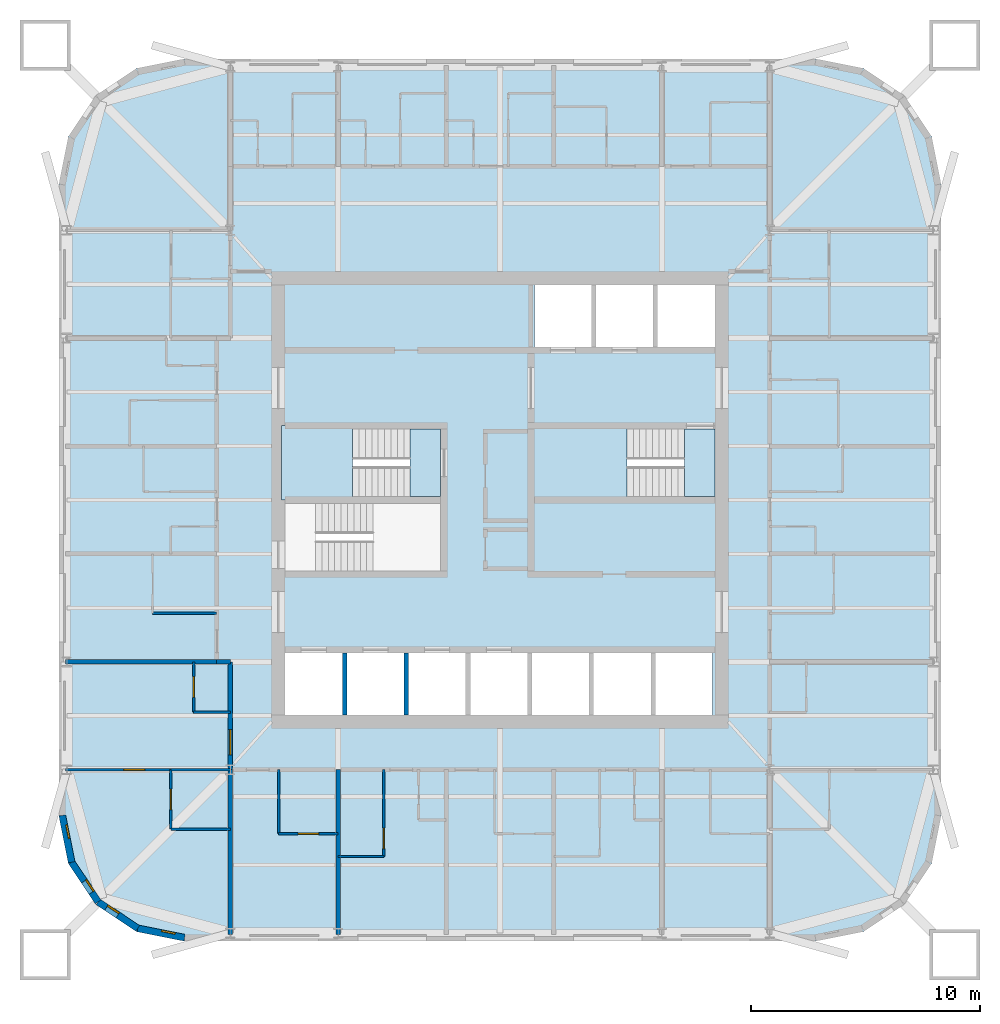
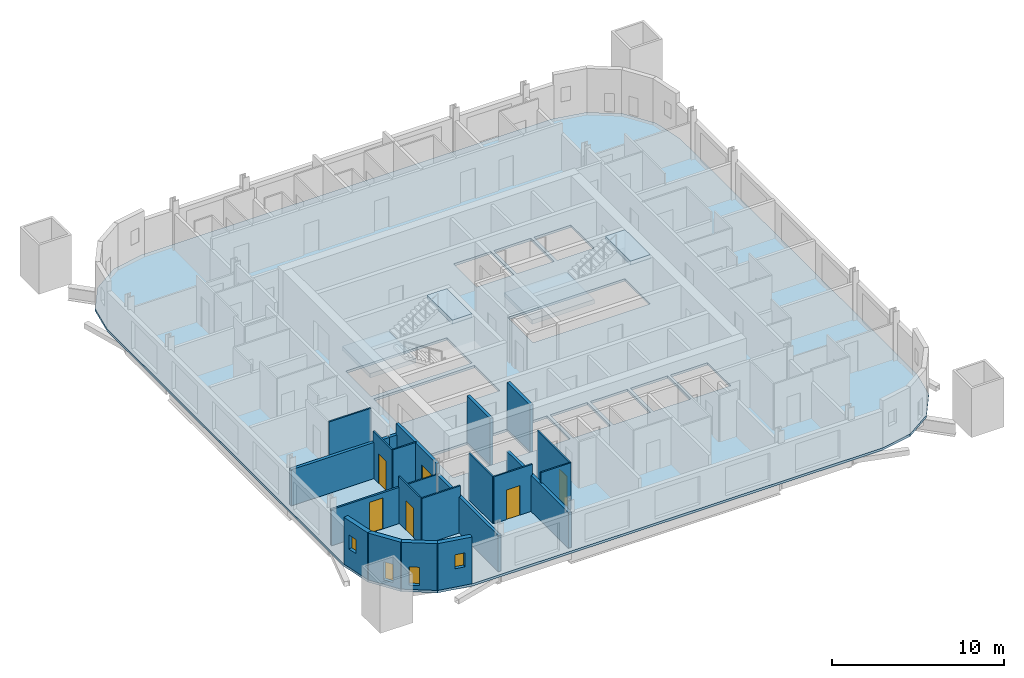
# One storey, part 2 of 9: 22 walls, 6 doors, 5 slabs, 4 windows, 10 openings, 2 elements without a shape of their own.
"""IFC4 building model written with IfcOpenShell, lengths in metres."""

import ifcopenshell
import ifcopenshell.guid

model = None  # the IFC model being written
_history = None  # IfcOwnerHistory: only IFC2X3 demands one
_inside = {}  # id of a spatial element -> (the spatial element, [elements in it])
_under = {}  # id of a project, library or spatial element -> (it, [spatial elements below it])
_declared = {}  # id of a project -> (the project, [libraries it declares])
_typed = {}  # id of a type object -> (the type object, [elements of that type])
_made_of = {}  # id of a material, layer set ... -> (it, [elements and type objects made of it])


def new_model(schema):
    """Start an empty IFC model of exactly this schema.

    Asked for "IFC4X3", IfcOpenShell would pick the latest addendum, in which some entities
    have other attributes; the version numbers below select the first issue.
    IFC2X3 requires an IfcOwnerHistory on every rooted entity: one is made here for all.
    """
    global model, _history
    if schema == "IFC4X3":
        model = ifcopenshell.file(schema_version=(4, 3, 0, 0))
    else:
        model = ifcopenshell.file(schema=schema)
    _inside.clear()
    _under.clear()
    _declared.clear()
    _typed.clear()
    _made_of.clear()
    _history = None
    if model.schema == "IFC2X3":
        org = make("IfcOrganization", Name="unknown")
        user = make(
            "IfcPersonAndOrganization",
            ThePerson=make("IfcPerson", FamilyName="unknown"),
            TheOrganization=org,
        )
        app = make(
            "IfcApplication",
            ApplicationDeveloper=org,
            Version="unknown",
            ApplicationFullName="unknown",
            ApplicationIdentifier="unknown",
        )
        _history = make(
            "IfcOwnerHistory",
            OwningUser=user,
            OwningApplication=app,
            ChangeAction="ADDED",
            CreationDate=0,
        )
    return model


def make(cls, **values):
    """One entity of the class cls with the attributes given. An attribute that is None is left unset."""
    return model.create_entity(
        cls, **{name: value for name, value in values.items() if value is not None}
    )


def rooted(cls, **values):
    """An entity with a GlobalId (a new one), such as an element, a storey or a relation."""
    return make(cls, GlobalId=ifcopenshell.guid.new(), OwnerHistory=_history, **values)


def si_unit(unit_type, name, prefix=None):
    """IfcSIUnit, for example si_unit("LENGTHUNIT", "METRE", prefix="MILLI")."""
    return make("IfcSIUnit", UnitType=unit_type, Prefix=prefix, Name=name)


def assignment(units):
    """IfcUnitAssignment: the units of a project."""
    return None if units is None else make("IfcUnitAssignment", Units=units)


def point(xyz):
    """IfcCartesianPoint."""
    return None if xyz is None else make("IfcCartesianPoint", Coordinates=xyz)


def direction(xyz):
    """IfcDirection."""
    return None if xyz is None else make("IfcDirection", DirectionRatios=xyz)


def frame(location, z_axis=None, x_axis=None):
    """IfcAxis2Placement3D, a coordinate frame: its origin and axes. An axis left out is left unset."""
    return make(
        "IfcAxis2Placement3D",
        Location=point(location),
        Axis=direction(z_axis),
        RefDirection=direction(x_axis),
    )


def frame_2d(location, x_axis=None):
    """IfcAxis2Placement2D, a coordinate frame in the plane: its origin and x axis."""
    return make(
        "IfcAxis2Placement2D", Location=point(location), RefDirection=direction(x_axis)
    )


def origin():
    """The frame at (0, 0, 0) with its axes left unset."""
    return frame((0.0, 0.0, 0.0))


def place(relative_to, where):
    """IfcLocalPlacement: puts the frame where relative to a parent placement (None: the world)."""
    return make(
        "IfcLocalPlacement", PlacementRelTo=relative_to, RelativePlacement=where
    )


def context(
    kind, dimensions, precision=None, world=None, true_north=None, identifier=None
):
    """IfcGeometricRepresentationContext, for example the 3D "Model" context."""
    return make(
        "IfcGeometricRepresentationContext",
        ContextIdentifier=identifier,
        ContextType=kind,
        CoordinateSpaceDimension=dimensions,
        Precision=precision,
        WorldCoordinateSystem=world,
        TrueNorth=true_north,
    )


def subcontext(parent, identifier, kind, view, scale=None):
    """IfcGeometricRepresentationSubContext, for example "Body" below "Model"."""
    return make(
        "IfcGeometricRepresentationSubContext",
        ContextIdentifier=identifier,
        ContextType=kind,
        ParentContext=parent,
        TargetScale=scale,
        TargetView=view,
    )


def project(units=None, contexts=None):
    """IfcProject with its units and contexts."""
    return rooted(
        "IfcProject",
        Name="project",
        RepresentationContexts=contexts,
        UnitsInContext=assignment(units),
    )


def spatial(cls, under=None, at=None, **own):
    """A site, building, storey or space (cls), placed at a placement, below another one or the project."""
    s = rooted(cls, ObjectPlacement=at, **own)
    if under is not None:
        _under.setdefault(under.id(), (under, []))[1].append(s)
    return s


def polyline(points):
    """IfcPolyline through the points."""
    return make("IfcPolyline", Points=[point(p) for p in points])


def profile(cls, at=None, kind="AREA", **sizes):
    """A parametric profile (cls). Its sizes go by their IFC names, for example OverallWidth=200.0."""
    return make(cls, ProfileType=kind, Position=at, **sizes)


def rectangle(**sizes):
    """IfcRectangleProfileDef."""
    return profile("IfcRectangleProfileDef", **sizes)


def outline(outer, holes=None, kind="AREA"):
    """IfcArbitraryClosedProfileDef: a profile drawn as a closed curve; with holes, ...WithVoids."""
    if holes is None:
        return make("IfcArbitraryClosedProfileDef", ProfileType=kind, OuterCurve=outer)
    return make(
        "IfcArbitraryProfileDefWithVoids",
        ProfileType=kind,
        OuterCurve=outer,
        InnerCurves=holes,
    )


def extrude(swept, where, along, depth):
    """IfcExtrudedAreaSolid: the profile swept, set in the frame where, extruded along a direction by depth."""
    return make(
        "IfcExtrudedAreaSolid",
        SweptArea=swept,
        Position=where,
        ExtrudedDirection=direction(along),
        Depth=depth,
    )


def shape(context_of_items, identifier, shape_type, items):
    """IfcShapeRepresentation: the items that make up one representation, for example the "Body"."""
    return make(
        "IfcShapeRepresentation",
        ContextOfItems=context_of_items,
        RepresentationIdentifier=identifier,
        RepresentationType=shape_type,
        Items=items,
    )


def material(Name=None, Category=None):
    """IfcMaterial."""
    return make("IfcMaterial", Name=Name, Category=Category)


def layer(
    of_material, thickness, ventilated=None, Name=None, Category=None, Priority=None
):
    """IfcMaterialLayer: one layer of a wall or slab, of a material (None: an air gap)."""
    return make(
        "IfcMaterialLayer",
        Material=of_material,
        LayerThickness=thickness,
        IsVentilated=ventilated,
        Name=Name,
        Category=Category,
        Priority=Priority,
    )


def layer_set(layers, Name=None):
    """IfcMaterialLayerSet."""
    return make("IfcMaterialLayerSet", MaterialLayers=layers, LayerSetName=Name)


def made_of(thing, what):
    """Note that an element or type object is made of a material, layer set ...; save() writes the relation."""
    if what is not None:
        _made_of.setdefault(what.id(), (what, []))[1].append(thing)
    return thing


def type_object(cls, material=None, **own):
    """A type object (cls), such as IfcWallType, which elements share."""
    return made_of(rooted(cls, **own), material)


def element(
    cls,
    number,
    at=None,
    inside=None,
    cuts=None,
    type_object=None,
    material=None,
    context=None,
    identifier="Body",
    shape_type=None,
    held_by="IfcProductDefinitionShape",
    body=None,
    shapes=None,
    **own,
):
    """One element of the class cls, such as IfcWall. Its Tag is "e" and its number.

    at: its placement. inside: the storey or other place that contains it. cuts: it is an
    opening in that element (IfcRelVoidsElement). A single representation is given by context,
    identifier, shape_type and body (its items); several are given by shapes. held_by: the class
    of the entity that holds the representations. save() writes the other relations.
    """
    e = rooted(cls, Tag="e%d" % number, ObjectPlacement=at, **own)
    if body is not None:
        shapes = [shape(context, identifier, shape_type, body)]
    if shapes is not None:
        e.Representation = make(held_by, Representations=shapes)
    if inside is not None:
        _inside.setdefault(inside.id(), (inside, []))[1].append(e)
    if cuts is not None:
        rooted(
            "IfcRelVoidsElement", RelatingBuildingElement=cuts, RelatedOpeningElement=e
        )
    if type_object is not None:
        _typed.setdefault(type_object.id(), (type_object, []))[1].append(e)
    return made_of(e, material)


def fill(opening, filler):
    """IfcRelFillsElement: the door or window that sits in an opening."""
    return rooted(
        "IfcRelFillsElement",
        RelatingOpeningElement=opening,
        RelatedBuildingElement=filler,
    )


def aggregate(whole, parts):
    """IfcRelAggregates: a whole, such as a stair, and the parts it consists of."""
    return rooted("IfcRelAggregates", RelatingObject=whole, RelatedObjects=parts)


def save(model, path):
    """Write the relations noted so far, then the file.

    IfcRelAggregates (storeys below a building ...), IfcRelContainedInSpatialStructure (elements
    in a storey), IfcRelDefinesByType, IfcRelAssociatesMaterial and IfcRelDeclares: one each for
    every whole, place, type object, material and project.
    """
    for whole, parts in _under.values():
        aggregate(whole, parts)
    for where, things in _inside.values():
        rooted(
            "IfcRelContainedInSpatialStructure",
            RelatedElements=things,
            RelatingStructure=where,
        )
    for kind, things in _typed.values():
        rooted("IfcRelDefinesByType", RelatedObjects=things, RelatingType=kind)
    for what, things in _made_of.values():
        rooted("IfcRelAssociatesMaterial", RelatedObjects=things, RelatingMaterial=what)
    for by, libraries in _declared.values():
        rooted("IfcRelDeclares", RelatingContext=by, RelatedDefinitions=libraries)
    model.write(path)


model = new_model("IFC4")

# Units and contexts
model_context = context("Model", 3, precision=1e-05, world=origin(), true_north=direction((0.0, 1.0)))
body_context = subcontext(model_context, "Body", "Model", "MODEL_VIEW")
ifc_project = project(units=[si_unit("LENGTHUNIT", "METRE"), si_unit("AREAUNIT", "SQUARE_METRE"), si_unit("VOLUMEUNIT", "CUBIC_METRE"), si_unit("PLANEANGLEUNIT", "RADIAN"), si_unit("MASSUNIT", "GRAM", prefix="KILO")], contexts=[model_context])

# Site, building, storey
site_placement = place(None, origin())
site = spatial("IfcSite", under=ifc_project, at=site_placement, CompositionType="ELEMENT")
building_placement = place(site_placement, origin())
building = spatial("IfcBuilding", under=site, at=building_placement, Name="Turquesa Mirador Hotel Tower", CompositionType="ELEMENT")
storey_placement = place(building_placement, frame((0.0, 0.0, 214.300048828125)))
storey = spatial("IfcBuildingStorey", under=building, at=storey_placement, Name="L58", CompositionType="ELEMENT", Elevation=214.300048828125)

# Slab
ifc_material_1 = material(Name="Concrete C28/35", Category="concrete")
ifc_layer_1 = layer(ifc_material_1, 0.169921875)
ifc_layer_set_1 = layer_set([ifc_layer_1], Name="COMPOSITE FLOOR SLAB 170")
slab_type_1 = type_object("IfcSlabType", Name="COMPOSITE FLOOR SLAB 170", PredefinedType="FLOOR", material=ifc_layer_set_1)
slab_1_placement = place(storey_placement, frame((0.0, 0.0, -0.170166015625)))
element("IfcSlab", 1, at=slab_1_placement, inside=storey, type_object=slab_type_1, Name="Floor slab L58", PredefinedType="FLOOR", context=body_context, shape_type="SweptSolid", body=[
    extrude(outline(polyline([(68.800048828125, 25.699951171875), (70.90478515625, 26.11865234375), (72.689208984375, 27.310791015625), (73.88134765625, 29.09521484375), (74.300048828125, 31.199951171875), (74.300048828125, 58.800048828125), (73.88134765625, 60.90478515625), (72.689208984375, 62.689208984375), (70.90478515625, 63.88134765625), (68.800048828125, 64.300048828125), (41.199951171875, 64.300048828125), (39.09521484375, 63.88134765625), (37.310791015625, 62.689208984375), (36.11865234375, 60.90478515625), (35.699951171875, 58.800048828125), (35.699951171875, 31.199951171875), (36.11865234375, 29.09521484375), (37.310791015625, 27.310791015625), (39.09521484375, 26.11865234375), (41.199951171875, 25.699951171875), (68.800048828125, 25.699951171875)]), holes=[polyline([(56.5, 51.699951171875), (59.0, 51.699951171875), (59.0, 54.39990234375), (56.5, 54.39990234375), (56.5, 51.699951171875)]), polyline([(59.199951171875, 51.699951171875), (61.699951171875, 51.699951171875), (61.699951171875, 54.39990234375), (59.199951171875, 54.39990234375), (59.199951171875, 51.699951171875)]), polyline([(45.60009765625, 35.60009765625), (48.10009765625, 35.60009765625), (48.10009765625, 38.300048828125), (45.60009765625, 38.300048828125), (45.60009765625, 35.60009765625)]), polyline([(48.300048828125, 35.60009765625), (50.800048828125, 35.60009765625), (50.800048828125, 38.300048828125), (48.300048828125, 38.300048828125), (48.300048828125, 35.60009765625)]), polyline([(51.0, 35.60009765625), (53.5, 35.60009765625), (53.5, 38.300048828125), (51.0, 38.300048828125), (51.0, 35.60009765625)]), polyline([(53.699951171875, 35.60009765625), (56.199951171875, 35.60009765625), (56.199951171875, 38.300048828125), (53.699951171875, 38.300048828125), (53.699951171875, 35.60009765625)]), polyline([(56.39990234375, 35.60009765625), (58.89990234375, 35.60009765625), (58.89990234375, 38.300048828125), (56.39990234375, 38.300048828125), (56.39990234375, 35.60009765625)]), polyline([(59.10009765625, 35.60009765625), (61.60009765625, 35.60009765625), (61.60009765625, 38.300048828125), (59.10009765625, 38.300048828125), (59.10009765625, 35.60009765625)]), polyline([(61.800048828125, 35.60009765625), (64.300048828125, 35.60009765625), (64.300048828125, 38.300048828125), (61.800048828125, 38.300048828125), (61.800048828125, 35.60009765625)]), polyline([(45.60009765625, 45.14990234375), (52.39990234375, 45.14990234375), (52.39990234375, 48.10009765625), (45.60009765625, 48.10009765625), (45.60009765625, 45.14990234375)]), polyline([(45.60009765625, 41.89990234375), (52.39990234375, 41.89990234375), (52.39990234375, 44.85009765625), (45.60009765625, 44.85009765625), (45.60009765625, 41.89990234375)]), polyline([(56.5, 45.14990234375), (64.39990234375, 45.14990234375), (64.39990234375, 48.10009765625), (56.5, 48.10009765625), (56.5, 45.14990234375)]), polyline([(61.89990234375, 51.699951171875), (64.39990234375, 51.699951171875), (64.39990234375, 54.39990234375), (61.89990234375, 54.39990234375), (61.89990234375, 51.699951171875)])]), origin(), (0.0, 0.0, 1.0), 0.170166015625),
])

# Stair, slabs
ifc_material_2 = material(Name="Concrete C35/45", Category="concrete")
stair_type = type_object("IfcStairType", Name="ESCAPE STAIR CORE", PredefinedType="HALF_TURN_STAIR", material=ifc_material_2)
stair_1_placement = place(storey_placement, origin())
stair_1 = element("IfcStair", 2, at=stair_1_placement, inside=storey, type_object=stair_type, Name="Stair ST1 L58 to L59", PredefinedType="HALF_TURN_STAIR")
ifc_material_3 = material(Name="Concrete C35/45", Category="concrete")
ifc_layer_2 = layer(ifc_material_3, 0.300048828125)
ifc_layer_set_2 = layer_set([ifc_layer_2], Name="STAIR LANDING 300")
slab_type_2 = type_object("IfcSlabType", Name="STAIR LANDING 300", PredefinedType="LANDING", material=ifc_layer_set_2)
slab_2_placement = place(storey_placement, frame((0.0, 0.0, 1.449951171875)))
slab_2 = element("IfcSlab", 3, at=slab_2_placement, type_object=slab_type_2, Name="ST1 landing 1", PredefinedType="LANDING", context=body_context, shape_type="SweptSolid", body=[
    extrude(outline(polyline([(45.449951171875, 45.0), (48.550048828125, 45.0), (48.550048828125, 48.25), (45.449951171875, 48.25), (45.449951171875, 45.0)])), origin(), (0.0, 0.0, 1.0), 0.300048828125),
])
slab_3_placement = place(storey_placement, frame((0.0, 0.0, 3.199951171875)))
slab_3 = element("IfcSlab", 4, at=slab_3_placement, type_object=slab_type_2, Name="ST1 landing 2", PredefinedType="LANDING", context=body_context, shape_type="SweptSolid", body=[
    extrude(outline(polyline([(51.070068359375, 45.14990234375), (52.39990234375, 45.14990234375), (52.39990234375, 48.10009765625), (51.070068359375, 48.10009765625), (51.070068359375, 45.14990234375)])), origin(), (0.0, 0.0, 1.0), 0.300048828125),
])
aggregate(stair_1, [slab_2, slab_3])

stair_2_placement = place(storey_placement, origin())
stair_2 = element("IfcStair", 5, at=stair_2_placement, inside=storey, type_object=stair_type, Name="Stair ST3 L58 to L59", PredefinedType="HALF_TURN_STAIR")
slab_4_placement = place(storey_placement, frame((0.0, 0.0, 1.449951171875)))
slab_4 = element("IfcSlab", 6, at=slab_4_placement, type_object=slab_type_2, Name="ST3 landing 1", PredefinedType="LANDING", context=body_context, shape_type="SweptSolid", body=[
    extrude(outline(polyline([(56.35009765625, 45.0), (60.550048828125, 45.0), (60.550048828125, 48.25), (56.35009765625, 48.25), (56.35009765625, 45.0)])), origin(), (0.0, 0.0, 1.0), 0.300048828125),
])
slab_5_placement = place(storey_placement, frame((0.0, 0.0, 3.199951171875)))
slab_5 = element("IfcSlab", 7, at=slab_5_placement, type_object=slab_type_2, Name="ST3 landing 2", PredefinedType="LANDING", context=body_context, shape_type="SweptSolid", body=[
    extrude(outline(polyline([(63.070068359375, 45.14990234375), (64.39990234375, 45.14990234375), (64.39990234375, 48.10009765625), (63.070068359375, 48.10009765625), (63.070068359375, 45.14990234375)])), origin(), (0.0, 0.0, 1.0), 0.300048828125),
])
aggregate(stair_2, [slab_4, slab_5])

# Walls
ifc_material_4 = material(Name="Gypsum board on steel studs", Category="steel")
ifc_layer_3 = layer(ifc_material_4, 0.10009765625)
ifc_layer_set_3 = layer_set([ifc_layer_3], Name="BATHROOM WALL 100")
wall_type_1 = type_object("IfcWallType", Name="BATHROOM WALL 100", PredefinedType="PARTITIONING", material=ifc_layer_set_3)
wall_1_placement = place(storey_placement, frame((40.60009765625, 33.199951171875, 0.0), z_axis=(0.0, 0.0, 1.0), x_axis=(1.0, 0.0, 0.0)))
element("IfcWall", 8, at=wall_1_placement, inside=storey, type_object=wall_type_1, Name="Partition L58 003", PredefinedType="PARTITIONING", context=body_context, shape_type="SweptSolid", body=[
    extrude(rectangle(XDim=2.599853515625, YDim=0.10009765625, at=frame_2d((1.2998046875, 0.0))), origin(), (0.0, 0.0, 1.0), 2.572998046875),
])
wall_2_placement = place(storey_placement, frame((40.60009765625, 30.60009765625, 0.0), z_axis=(0.0, 0.0, 1.0), x_axis=(1.0, 0.0, 0.0)))
element("IfcWall", 9, at=wall_2_placement, inside=storey, type_object=wall_type_1, Name="Partition L58 010", PredefinedType="PARTITIONING", context=body_context, shape_type="SweptSolid", body=[
    extrude(rectangle(XDim=2.599853515625, YDim=0.10009765625, at=frame_2d((1.2998046875, 0.0))), origin(), (0.0, 0.0, 1.0), 3.329833984375),
])

# Wall, opening, door
wall_3_placement = place(storey_placement, frame((45.320068359375, 30.39990234375, 0.0), z_axis=(0.0, 0.0, 1.0), x_axis=(1.0, 0.0, 0.0)))
wall_3 = element("IfcWall", 10, at=wall_3_placement, inside=storey, type_object=wall_type_1, Name="Partition L58 012", PredefinedType="PARTITIONING", context=body_context, shape_type="SweptSolid", body=[
    extrude(rectangle(XDim=2.599853515625, YDim=0.10009765625, at=frame_2d((1.2998046875, 0.0))), origin(), (0.0, 0.0, 1.0), 3.329833984375),
])
opening_1_placement = place(wall_3_placement, frame((0.85009765625, 0.0, 0.0)))
opening_1 = element("IfcOpeningElement", 11, at=opening_1_placement, cuts=wall_3, Name="Opening D02", PredefinedType="OPENING", context=body_context, shape_type="SweptSolid", body=[
    extrude(rectangle(XDim=0.89990234375, YDim=2.10009765625, at=frame_2d((0.449951171875, 1.050048828125))), frame((0.0, 0.06005859375, 0.0), z_axis=(0.0, -1.0, 0.0), x_axis=(1.0, 0.0, 0.0)), (0.0, 0.0, 1.0), 0.1201171875),
])
ifc_material_5 = material(Name="Timber veneered door", Category="wood")
door_type_1 = type_object("IfcDoorType", Name="DOOR 900X2100 EN-SUITE", OperationType="SINGLE_SWING_RIGHT", PredefinedType="DOOR", material=ifc_material_5)
door_1_placement = place(opening_1_placement, origin())
door_1 = element("IfcDoor", 12, at=door_1_placement, inside=storey, type_object=door_type_1, Name="Door 5806B", OperationType="SINGLE_SWING_RIGHT", OverallHeight=2.10009765625, OverallWidth=0.89990234375, PredefinedType="DOOR", context=body_context, shape_type="SweptSolid", body=[
    extrude(rectangle(XDim=0.89990234375, YDim=2.10009765625, at=frame_2d((0.449951171875, 1.050048828125))), frame((0.0, 0.02490234375, 0.0), z_axis=(0.0, -1.0, 0.0), x_axis=(1.0, 0.0, 0.0)), (0.0, 0.0, 1.0), 0.050048828125),
])
fill(opening_1, door_1)

# Walls
wall_4_placement = place(storey_placement, frame((47.919921875, 29.39990234375, 0.0), z_axis=(0.0, 0.0, 1.0), x_axis=(1.0, 0.0, 0.0)))
element("IfcWall", 13, at=wall_4_placement, inside=storey, type_object=wall_type_1, Name="Partition L58 015", PredefinedType="PARTITIONING", context=body_context, shape_type="SweptSolid", body=[
    extrude(rectangle(XDim=2.0, YDim=0.10009765625, at=frame_2d((1.0, 0.0))), origin(), (0.0, 0.0, 1.0), 3.329833984375),
])
wall_5_placement = place(storey_placement, frame((39.800048828125, 40.0400390625, 0.0), z_axis=(0.0, 0.0, 1.0), x_axis=(1.0, 0.0, 0.0)))
element("IfcWall", 14, at=wall_5_placement, inside=storey, type_object=wall_type_1, Name="Partition L58 019", PredefinedType="PARTITIONING", context=body_context, shape_type="SweptSolid", body=[
    extrude(rectangle(XDim=2.800048828125, YDim=0.10009765625, at=frame_2d((1.39990234375, 0.0))), origin(), (0.0, 0.0, 1.0), 3.329833984375),
])
wall_6_placement = place(storey_placement, frame((41.60009765625, 35.719970703125, 0.0), z_axis=(0.0, 0.0, 1.0), x_axis=(1.0, 0.0, 0.0)))
element("IfcWall", 15, at=wall_6_placement, inside=storey, type_object=wall_type_1, Name="Partition L58 024", PredefinedType="PARTITIONING", context=body_context, shape_type="SweptSolid", body=[
    extrude(rectangle(XDim=1.599853515625, YDim=0.10009765625, at=frame_2d((0.7998046875, 0.0))), origin(), (0.0, 0.0, 1.0), 3.329833984375),
])

# Wall, opening, door
wall_7_placement = place(storey_placement, frame((41.60009765625, 35.719970703125, 0.0), z_axis=(0.0, 0.0, 1.0), x_axis=(0.0, 1.0, 0.0)))
wall_7 = element("IfcWall", 16, at=wall_7_placement, inside=storey, type_object=wall_type_1, Name="Partition L58 061", PredefinedType="PARTITIONING", context=body_context, shape_type="SweptSolid", body=[
    extrude(rectangle(XDim=2.199951171875, YDim=0.10009765625, at=frame_2d((1.10009765625, 0.0))), origin(), (0.0, 0.0, 1.0), 3.329833984375),
])
opening_2_placement = place(wall_7_placement, frame((0.64990234375, 0.0, 0.0)))
opening_2 = element("IfcOpeningElement", 17, at=opening_2_placement, cuts=wall_7, Name="Opening D06", PredefinedType="OPENING", context=body_context, shape_type="SweptSolid", body=[
    extrude(rectangle(XDim=0.89990234375, YDim=2.10009765625, at=frame_2d((0.449951171875, 1.050048828125))), frame((0.0, 0.06005859375, 0.0), z_axis=(0.0, -1.0, 0.0), x_axis=(1.0, 0.0, 0.0)), (0.0, 0.0, 1.0), 0.1201171875),
])
ifc_material_6 = material(Name="Laminate door", Category="wood")
door_type_2 = type_object("IfcDoorType", Name="DOOR 900X2100 WC", OperationType="SINGLE_SWING_LEFT", PredefinedType="DOOR", material=ifc_material_6)
door_2_placement = place(opening_2_placement, origin())
door_2 = element("IfcDoor", 18, at=door_2_placement, inside=storey, type_object=door_type_2, Name="Door 5819W", OperationType="SINGLE_SWING_LEFT", OverallHeight=2.10009765625, OverallWidth=0.89990234375, PredefinedType="DOOR", context=body_context, shape_type="SweptSolid", body=[
    extrude(rectangle(XDim=0.89990234375, YDim=2.10009765625, at=frame_2d((0.449951171875, 1.050048828125))), frame((0.0, 0.02490234375, 0.0), z_axis=(0.0, -1.0, 0.0), x_axis=(1.0, 0.0, 0.0)), (0.0, 0.0, 1.0), 0.050048828125),
])
fill(opening_2, door_2)

wall_8_placement = place(storey_placement, frame((40.60009765625, 30.60009765625, 0.0), z_axis=(0.0, 0.0, 1.0), x_axis=(0.0, 1.0, 0.0)))
wall_8 = element("IfcWall", 19, at=wall_8_placement, inside=storey, type_object=wall_type_1, Name="Partition L58 062", PredefinedType="PARTITIONING", context=body_context, shape_type="SweptSolid", body=[
    extrude(rectangle(XDim=2.599853515625, YDim=0.10009765625, at=frame_2d((1.2998046875, 0.0))), origin(), (0.0, 0.0, 1.0), 3.329833984375),
])
opening_3_placement = place(wall_8_placement, frame((0.85009765625, 0.0, 0.0)))
opening_3 = element("IfcOpeningElement", 20, at=opening_3_placement, cuts=wall_8, Name="Opening D02", PredefinedType="OPENING", context=body_context, shape_type="SweptSolid", body=[
    extrude(rectangle(XDim=0.89990234375, YDim=2.10009765625, at=frame_2d((0.449951171875, 1.050048828125))), frame((0.0, 0.06005859375, 0.0), z_axis=(0.0, -1.0, 0.0), x_axis=(1.0, 0.0, 0.0)), (0.0, 0.0, 1.0), 0.1201171875),
])
door_3_placement = place(opening_3_placement, origin())
door_3 = element("IfcDoor", 21, at=door_3_placement, inside=storey, type_object=door_type_1, Name="Door 5819B", OperationType="SINGLE_SWING_RIGHT", OverallHeight=2.10009765625, OverallWidth=0.89990234375, PredefinedType="DOOR", context=body_context, shape_type="SweptSolid", body=[
    extrude(rectangle(XDim=0.89990234375, YDim=2.10009765625, at=frame_2d((0.449951171875, 1.050048828125))), frame((0.0, 0.02490234375, 0.0), z_axis=(0.0, -1.0, 0.0), x_axis=(1.0, 0.0, 0.0)), (0.0, 0.0, 1.0), 0.050048828125),
])
fill(opening_3, door_3)

wall_9_placement = place(storey_placement, frame((49.919921875, 29.39990234375, 0.0), z_axis=(0.0, 0.0, 1.0), x_axis=(0.0, 1.0, 0.0)))
wall_9 = element("IfcWall", 22, at=wall_9_placement, inside=storey, type_object=wall_type_1, Name="Partition L58 074", PredefinedType="PARTITIONING", context=body_context, shape_type="SweptSolid", body=[
    extrude(rectangle(XDim=3.800048828125, YDim=0.10009765625, at=frame_2d((1.89990234375, 0.0))), origin(), (0.0, 0.0, 1.0), 3.329833984375),
])
opening_4_placement = place(wall_9_placement, frame((0.35009765625, 0.0, 0.0)))
opening_4 = element("IfcOpeningElement", 23, at=opening_4_placement, cuts=wall_9, Name="Opening D02", PredefinedType="OPENING", context=body_context, shape_type="SweptSolid", body=[
    extrude(rectangle(XDim=0.89990234375, YDim=2.10009765625, at=frame_2d((0.449951171875, 1.050048828125))), frame((0.0, 0.06005859375, 0.0), z_axis=(0.0, -1.0, 0.0), x_axis=(1.0, 0.0, 0.0)), (0.0, 0.0, 1.0), 0.1201171875),
])
door_4_placement = place(opening_4_placement, origin())
door_4 = element("IfcDoor", 24, at=door_4_placement, inside=storey, type_object=door_type_1, Name="Door 5807B", OperationType="SINGLE_SWING_RIGHT", OverallHeight=2.10009765625, OverallWidth=0.89990234375, PredefinedType="DOOR", context=body_context, shape_type="SweptSolid", body=[
    extrude(rectangle(XDim=0.89990234375, YDim=2.10009765625, at=frame_2d((0.449951171875, 1.050048828125))), frame((0.0, 0.02490234375, 0.0), z_axis=(0.0, -1.0, 0.0), x_axis=(1.0, 0.0, 0.0)), (0.0, 0.0, 1.0), 0.050048828125),
])
fill(opening_4, door_4)

# Walls
wall_10_placement = place(storey_placement, frame((45.320068359375, 30.39990234375, 0.0), z_axis=(0.0, 0.0, 1.0), x_axis=(0.0, 1.0, 0.0)))
element("IfcWall", 25, at=wall_10_placement, inside=storey, type_object=wall_type_1, Name="Partition L58 079", PredefinedType="PARTITIONING", context=body_context, shape_type="SweptSolid", body=[
    extrude(rectangle(XDim=2.800048828125, YDim=0.10009765625, at=frame_2d((1.39990234375, 0.0))), origin(), (0.0, 0.0, 1.0), 3.329833984375),
])
ifc_material_7 = material(Name="Fire-rated gypsum board on steel studs", Category="steel")
ifc_layer_4 = layer(ifc_material_7, 0.199951171875)
ifc_layer_set_4 = layer_set([ifc_layer_4], Name="CORRIDOR WALL 200")
wall_type_2 = type_object("IfcWallType", Name="CORRIDOR WALL 200", PredefinedType="PARTITIONING", material=ifc_layer_set_4)
wall_11_placement = place(storey_placement, frame((42.60009765625, 37.919921875, 0.0), z_axis=(0.0, 0.0, 1.0), x_axis=(1.0, 0.0, 0.0)))
element("IfcWall", 26, at=wall_11_placement, inside=storey, type_object=wall_type_2, Name="Partition L58 021", PredefinedType="PARTITIONING", context=body_context, shape_type="SweptSolid", body=[
    extrude(rectangle(XDim=0.599853515625, YDim=0.199951171875, at=frame_2d((0.2998046875, 0.0))), origin(), (0.0, 0.0, 1.0), 2.572998046875),
])

# Wall, opening, door
wall_12_placement = place(storey_placement, frame((43.199951171875, 33.199951171875, 0.0), z_axis=(0.0, 0.0, 1.0), x_axis=(0.0, 1.0, 0.0)))
wall_12 = element("IfcWall", 27, at=wall_12_placement, inside=storey, type_object=wall_type_2, Name="Partition L58 056", PredefinedType="PARTITIONING", context=body_context, shape_type="SweptSolid", body=[
    extrude(rectangle(XDim=4.719970703125, YDim=0.199951171875, at=frame_2d((2.35986328125, 0.0))), origin(), (0.0, 0.0, 1.0), 3.329833984375),
])
opening_5_placement = place(wall_12_placement, frame((0.64990234375, 0.0, 0.0)))
opening_5 = element("IfcOpeningElement", 28, at=opening_5_placement, cuts=wall_12, Name="Opening D15", PredefinedType="OPENING", context=body_context, shape_type="SweptSolid", body=[
    extrude(rectangle(XDim=1.10009765625, YDim=2.199951171875, at=frame_2d((0.550048828125, 1.10009765625))), frame((0.0, 0.10986328125, 0.0), z_axis=(0.0, -1.0, 0.0), x_axis=(1.0, 0.0, 0.0)), (0.0, 0.0, 1.0), 0.219970703125),
])
ifc_material_8 = material(Name="Timber veneered fire door", Category="wood")
door_type_3 = type_object("IfcDoorType", Name="DOOR 1100X2200 SUITE ENTRY", OperationType="SINGLE_SWING_LEFT", PredefinedType="DOOR", material=ifc_material_8)
door_5_placement = place(opening_5_placement, origin())
door_5 = element("IfcDoor", 29, at=door_5_placement, inside=storey, type_object=door_type_3, Name="Door 5819", OperationType="SINGLE_SWING_LEFT", OverallHeight=2.199951171875, OverallWidth=1.10009765625, PredefinedType="DOOR", context=body_context, shape_type="SweptSolid", body=[
    extrude(rectangle(XDim=1.10009765625, YDim=2.199951171875, at=frame_2d((0.550048828125, 1.10009765625))), frame((0.0, 0.02490234375, 0.0), z_axis=(0.0, -1.0, 0.0), x_axis=(1.0, 0.0, 0.0)), (0.0, 0.0, 1.0), 0.050048828125),
])
fill(opening_5, door_5)

# Wall, opening, window
ifc_material_9 = material(Name="Limestone cladding on concrete block", Category="masonry")
ifc_layer_5 = layer(ifc_material_9, 0.300048828125)
ifc_layer_set_5 = layer_set([ifc_layer_5], Name="FACADE WALL 300 STONE SCREEN")
wall_type_3 = type_object("IfcWallType", Name="FACADE WALL 300 STONE SCREEN", PredefinedType="SOLIDWALL", material=ifc_layer_set_5)
wall_13_placement = place(storey_placement, frame((35.85009765625, 31.199951171875, 0.0), z_axis=(0.0, 0.0, 1.0), x_axis=(0.195081421501, -0.980787050784, 0.0)))
wall_13 = element("IfcWall", 30, at=wall_13_placement, inside=storey, type_object=wall_type_3, Name="Facade wall L58 15", PredefinedType="SOLIDWALL", context=body_context, shape_type="SweptSolid", body=[
    extrude(rectangle(XDim=2.08740234375, YDim=0.300048828125, at=frame_2d((1.043701171875, 0.0))), origin(), (0.0, 0.0, 1.0), 3.329833984375),
])
opening_6_placement = place(wall_13_placement, frame((0.443603515625, 0.0, 1.300048828125)))
opening_6 = element("IfcOpeningElement", 31, at=opening_6_placement, cuts=wall_13, Name="Opening WN11", PredefinedType="OPENING", context=body_context, shape_type="SweptSolid", body=[
    extrude(rectangle(XDim=0.60009765625, YDim=1.0, at=frame_2d((0.300048828125, 0.5))), frame((0.0, 0.159912109375, 0.0), z_axis=(0.0, -1.0, 0.0), x_axis=(1.0, 0.0, 0.0)), (0.0, 0.0, 1.0), 0.320068359375),
])
ifc_material_10 = material(Name="Ceramic-fritted laminated glass", Category="glass")
window_type_1 = type_object("IfcWindowType", Name="FRITTED CORNER WINDOW 600X1000", PartitioningType="DOUBLE_PANEL_HORIZONTAL", PredefinedType="WINDOW", material=ifc_material_10)
window_1_placement = place(opening_6_placement, origin())
window_1 = element("IfcWindow", 32, at=window_1_placement, inside=storey, type_object=window_type_1, Name="Window L58", OverallHeight=1.0, OverallWidth=0.60009765625, PartitioningType="SINGLE_PANEL", PredefinedType="WINDOW", context=body_context, shape_type="SweptSolid", body=[
    extrude(rectangle(XDim=0.60009765625, YDim=1.0, at=frame_2d((0.300048828125, 0.5))), frame((0.0, 0.130126953125, 0.0), z_axis=(0.0, -1.0, 0.0), x_axis=(1.0, 0.0, 0.0)), (0.0, 0.0, 1.0), 0.06005859375),
])
fill(opening_6, window_1)

wall_14_placement = place(storey_placement, frame((36.25732421875, 29.152587890625, 0.0), z_axis=(0.0, 0.0, 1.0), x_axis=(0.555563607591, -0.831474039234, 0.0)))
wall_14 = element("IfcWall", 33, at=wall_14_placement, inside=storey, type_object=wall_type_3, Name="Facade wall L58 16", PredefinedType="SOLIDWALL", context=body_context, shape_type="SweptSolid", body=[
    extrude(rectangle(XDim=2.08740234375, YDim=0.300048828125, at=frame_2d((1.043701171875, 0.0))), origin(), (0.0, 0.0, 1.0), 3.329833984375),
])
opening_7_placement = place(wall_14_placement, frame((0.99365234375, 0.0, 0.300048828125)))
opening_7 = element("IfcOpeningElement", 34, at=opening_7_placement, cuts=wall_14, Name="Opening WN14", PredefinedType="OPENING", context=body_context, shape_type="SweptSolid", body=[
    extrude(rectangle(XDim=0.60009765625, YDim=1.300048828125, at=frame_2d((0.300048828125, 0.64990234375))), frame((0.0, 0.159912109375, 0.0), z_axis=(0.0, -1.0, 0.0), x_axis=(1.0, 0.0, 0.0)), (0.0, 0.0, 1.0), 0.320068359375),
])
ifc_material_11 = material(Name="Ceramic-fritted laminated glass", Category="glass")
window_type_2 = type_object("IfcWindowType", Name="FRITTED CORNER WINDOW 600X1300", PartitioningType="DOUBLE_PANEL_HORIZONTAL", PredefinedType="WINDOW", material=ifc_material_11)
window_2_placement = place(opening_7_placement, origin())
window_2 = element("IfcWindow", 35, at=window_2_placement, inside=storey, type_object=window_type_2, Name="Window L58", OverallHeight=1.300048828125, OverallWidth=0.60009765625, PartitioningType="SINGLE_PANEL", PredefinedType="WINDOW", context=body_context, shape_type="SweptSolid", body=[
    extrude(rectangle(XDim=0.60009765625, YDim=1.300048828125, at=frame_2d((0.300048828125, 0.64990234375))), frame((0.0, 0.130126953125, 0.0), z_axis=(0.0, -1.0, 0.0), x_axis=(1.0, 0.0, 0.0)), (0.0, 0.0, 1.0), 0.06005859375),
])
fill(opening_7, window_2)

wall_15_placement = place(storey_placement, frame((37.4169921875, 27.4169921875, 0.0), z_axis=(0.0, 0.0, 1.0), x_axis=(0.831474039234, -0.555563607591, 0.0)))
wall_15 = element("IfcWall", 36, at=wall_15_placement, inside=storey, type_object=wall_type_3, Name="Facade wall L58 17", PredefinedType="SOLIDWALL", context=body_context, shape_type="SweptSolid", body=[
    extrude(rectangle(XDim=2.08740234375, YDim=0.300048828125, at=frame_2d((1.043701171875, 0.0))), origin(), (0.0, 0.0, 1.0), 3.329833984375),
])
opening_8_placement = place(wall_15_placement, frame((0.443603515625, 0.0, 0.300048828125)))
opening_8 = element("IfcOpeningElement", 37, at=opening_8_placement, cuts=wall_15, Name="Opening WN14", PredefinedType="OPENING", context=body_context, shape_type="SweptSolid", body=[
    extrude(rectangle(XDim=0.60009765625, YDim=1.300048828125, at=frame_2d((0.300048828125, 0.64990234375))), frame((0.0, 0.159912109375, 0.0), z_axis=(0.0, -1.0, 0.0), x_axis=(1.0, 0.0, 0.0)), (0.0, 0.0, 1.0), 0.320068359375),
])
window_3_placement = place(opening_8_placement, origin())
window_3 = element("IfcWindow", 38, at=window_3_placement, inside=storey, type_object=window_type_2, Name="Window L58", OverallHeight=1.300048828125, OverallWidth=0.60009765625, PartitioningType="SINGLE_PANEL", PredefinedType="WINDOW", context=body_context, shape_type="SweptSolid", body=[
    extrude(rectangle(XDim=0.60009765625, YDim=1.300048828125, at=frame_2d((0.300048828125, 0.64990234375))), frame((0.0, 0.130126953125, 0.0), z_axis=(0.0, -1.0, 0.0), x_axis=(1.0, 0.0, 0.0)), (0.0, 0.0, 1.0), 0.06005859375),
])
fill(opening_8, window_3)

wall_16_placement = place(storey_placement, frame((39.152587890625, 26.25732421875, 0.0), z_axis=(0.0, 0.0, 1.0), x_axis=(0.980787050784, -0.195081421501, 0.0)))
wall_16 = element("IfcWall", 39, at=wall_16_placement, inside=storey, type_object=wall_type_3, Name="Facade wall L58 18", PredefinedType="SOLIDWALL", context=body_context, shape_type="SweptSolid", body=[
    extrude(rectangle(XDim=2.08740234375, YDim=0.300048828125, at=frame_2d((1.043701171875, 0.0))), origin(), (0.0, 0.0, 1.0), 3.329833984375),
])
opening_9_placement = place(wall_16_placement, frame((1.043701171875, 0.0, 1.300048828125)))
opening_9 = element("IfcOpeningElement", 40, at=opening_9_placement, cuts=wall_16, Name="Opening WN11", PredefinedType="OPENING", context=body_context, shape_type="SweptSolid", body=[
    extrude(rectangle(XDim=0.60009765625, YDim=1.0, at=frame_2d((0.300048828125, 0.5))), frame((0.0, 0.159912109375, 0.0), z_axis=(0.0, -1.0, 0.0), x_axis=(1.0, 0.0, 0.0)), (0.0, 0.0, 1.0), 0.320068359375),
])
window_4_placement = place(opening_9_placement, origin())
window_4 = element("IfcWindow", 41, at=window_4_placement, inside=storey, type_object=window_type_1, Name="Window L58", OverallHeight=1.0, OverallWidth=0.60009765625, PartitioningType="SINGLE_PANEL", PredefinedType="WINDOW", context=body_context, shape_type="SweptSolid", body=[
    extrude(rectangle(XDim=0.60009765625, YDim=1.0, at=frame_2d((0.300048828125, 0.5))), frame((0.0, 0.130126953125, 0.0), z_axis=(0.0, -1.0, 0.0), x_axis=(1.0, 0.0, 0.0)), (0.0, 0.0, 1.0), 0.06005859375),
])
fill(opening_9, window_4)

# Walls
ifc_material_12 = material(Name="Fire-rated gypsum shaft wall on steel studs", Category="steel")
ifc_layer_6 = layer(ifc_material_12, 0.199951171875)
ifc_layer_set_6 = layer_set([ifc_layer_6], Name="LIFT SHAFT DIVIDER 200")
wall_type_4 = type_object("IfcWallType", Name="LIFT SHAFT DIVIDER 200", PredefinedType="PARTITIONING", material=ifc_layer_set_6)
for number, where, z_axis, x_axis, name in (
    (42, (48.199951171875, 35.60009765625, 0.0), (0.0, 0.0, 1.0), (0.0, 1.0, 0.0), "Lift shaft divider"),
    (43, (50.89990234375, 35.60009765625, 0.0), (0.0, 0.0, 1.0), (0.0, 1.0, 0.0), "Lift shaft divider"),
):
    element("IfcWall", number, at=place(storey_placement, frame(where, z_axis=z_axis, x_axis=x_axis)), inside=storey, type_object=wall_type_4, Name=name, PredefinedType="PARTITIONING", context=body_context, shape_type="SweptSolid", body=[
        extrude(rectangle(XDim=2.699951171875, YDim=0.199951171875, at=frame_2d((1.35009765625, 0.0))), origin(), (0.0, 0.0, 1.0), 3.329833984375),
    ])
ifc_material_13 = material(Name="Fire-rated gypsum board on steel studs", Category="steel")
ifc_layer_7 = layer(ifc_material_13, 0.199951171875)
ifc_layer_set_7 = layer_set([ifc_layer_7], Name="PARTY WALL 200")
wall_type_5 = type_object("IfcWallType", Name="PARTY WALL 200", PredefinedType="PARTITIONING", material=ifc_layer_set_7)
wall_17_placement = place(storey_placement, frame((36.0, 37.919921875, 0.0), z_axis=(0.0, 0.0, 1.0), x_axis=(1.0, 0.0, 0.0)))
element("IfcWall", 44, at=wall_17_placement, inside=storey, type_object=wall_type_5, Name="Partition L58 022", PredefinedType="PARTITIONING", context=body_context, shape_type="SweptSolid", body=[
    extrude(rectangle(XDim=6.60009765625, YDim=0.199951171875, at=frame_2d((3.300048828125, 0.0))), origin(), (0.0, 0.0, 1.0), 2.572998046875),
])
for number, where, z_axis, x_axis, name in (
    (45, (43.199951171875, 26.0, 0.0), (0.0, 0.0, 1.0), (0.0, 1.0, 0.0), "Partition L58 058"),
    (46, (47.919921875, 26.0, 0.0), (0.0, 0.0, 1.0), (0.0, 1.0, 0.0), "Partition L58 076"),
):
    element("IfcWall", number, at=place(storey_placement, frame(where, z_axis=z_axis, x_axis=x_axis)), inside=storey, type_object=wall_type_5, Name=name, PredefinedType="PARTITIONING", context=body_context, shape_type="SweptSolid", body=[
        extrude(rectangle(XDim=7.199951171875, YDim=0.199951171875, at=frame_2d((3.60009765625, 0.0))), origin(), (0.0, 0.0, 1.0), 2.572998046875),
    ])

# Wall, opening, door
ifc_material_14 = material(Name="Acoustic gypsum board on steel studs", Category="steel")
ifc_layer_8 = layer(ifc_material_14, 0.125)
ifc_layer_set_8 = layer_set([ifc_layer_8], Name="SUITE PARTITION 125")
wall_type_6 = type_object("IfcWallType", Name="SUITE PARTITION 125", PredefinedType="PARTITIONING", material=ifc_layer_set_8)
wall_18_placement = place(storey_placement, frame((36.0, 33.199951171875, 0.0), z_axis=(0.0, 0.0, 1.0), x_axis=(1.0, 0.0, 0.0)))
wall_18 = element("IfcWall", 47, at=wall_18_placement, inside=storey, type_object=wall_type_6, Name="Partition L58 006", PredefinedType="PARTITIONING", context=body_context, shape_type="SweptSolid", body=[
    extrude(rectangle(XDim=4.60009765625, YDim=0.125, at=frame_2d((2.300048828125, 0.0))), origin(), (0.0, 0.0, 1.0), 2.572998046875),
])
opening_10_placement = place(wall_18_placement, frame((2.550048828125, 0.0, 0.0)))
opening_10 = element("IfcOpeningElement", 48, at=opening_10_placement, cuts=wall_18, Name="Opening D17", PredefinedType="OPENING", context=body_context, shape_type="SweptSolid", body=[
    extrude(rectangle(XDim=0.89990234375, YDim=2.199951171875, at=frame_2d((0.449951171875, 1.10009765625))), frame((0.0, 0.072509765625, 0.0), z_axis=(0.0, -1.0, 0.0), x_axis=(1.0, 0.0, 0.0)), (0.0, 0.0, 1.0), 0.14501953125),
])
ifc_material_15 = material(Name="Timber veneered door", Category="wood")
door_type_4 = type_object("IfcDoorType", Name="DOOR 900X2200 SUITE INTERNAL", OperationType="SINGLE_SWING_LEFT", PredefinedType="DOOR", material=ifc_material_15)
door_6_placement = place(opening_10_placement, origin())
door_6 = element("IfcDoor", 49, at=door_6_placement, inside=storey, type_object=door_type_4, Name="Door 5819R", OperationType="SINGLE_SWING_LEFT", OverallHeight=2.199951171875, OverallWidth=0.89990234375, PredefinedType="DOOR", context=body_context, shape_type="SweptSolid", body=[
    extrude(rectangle(XDim=0.89990234375, YDim=2.199951171875, at=frame_2d((0.449951171875, 1.10009765625))), frame((0.0, 0.02490234375, 0.0), z_axis=(0.0, -1.0, 0.0), x_axis=(1.0, 0.0, 0.0)), (0.0, 0.0, 1.0), 0.050048828125),
])
fill(opening_10, door_6)

save(model, "model.ifc")
